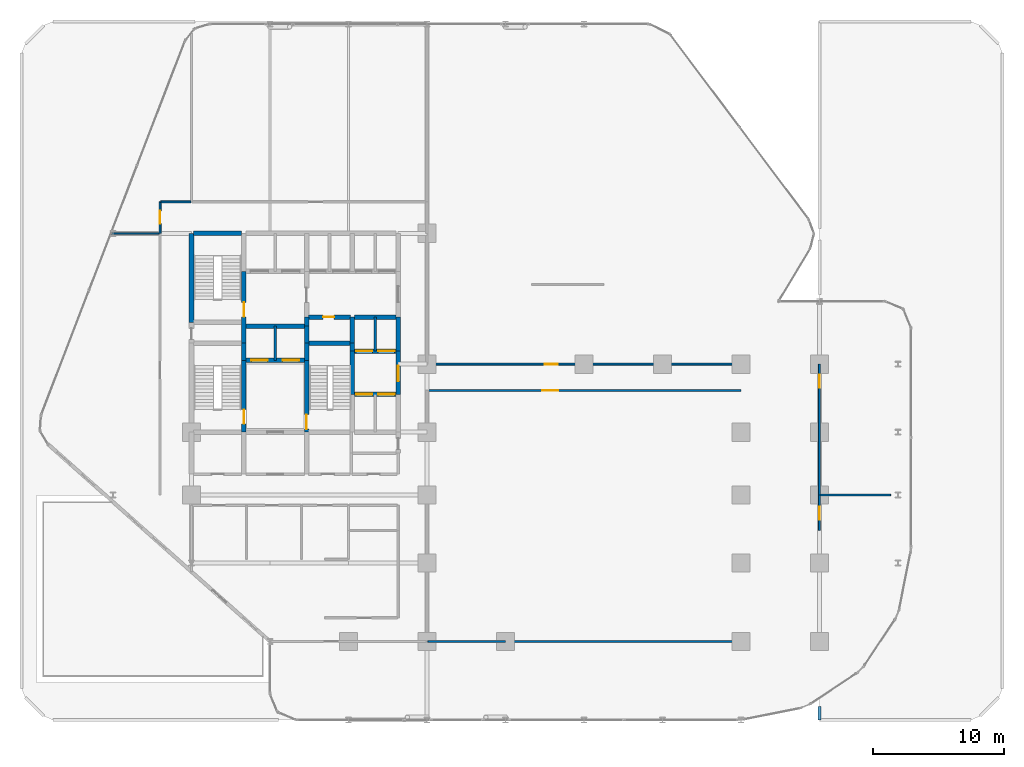
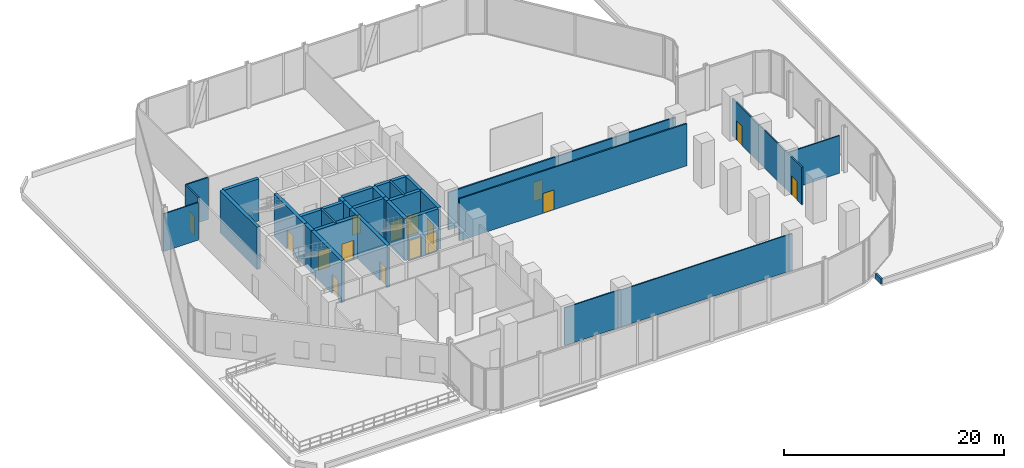
# One storey, part 25 of 29: 33 walls, 16 doors, 16 openings.
"""IFC4 building model written with IfcOpenShell, lengths in metres."""

import ifcopenshell
import ifcopenshell.guid

model = None  # the IFC model being written
_history = None  # IfcOwnerHistory: only IFC2X3 demands one
_inside = {}  # id of a spatial element -> (the spatial element, [elements in it])
_under = {}  # id of a project, library or spatial element -> (it, [spatial elements below it])
_declared = {}  # id of a project -> (the project, [libraries it declares])
_typed = {}  # id of a type object -> (the type object, [elements of that type])
_made_of = {}  # id of a material, layer set ... -> (it, [elements and type objects made of it])


def new_model(schema):
    """Start an empty IFC model of exactly this schema.

    Asked for "IFC4X3", IfcOpenShell would pick the latest addendum, in which some entities
    have other attributes; the version numbers below select the first issue.
    IFC2X3 requires an IfcOwnerHistory on every rooted entity: one is made here for all.
    """
    global model, _history
    if schema == "IFC4X3":
        model = ifcopenshell.file(schema_version=(4, 3, 0, 0))
    else:
        model = ifcopenshell.file(schema=schema)
    _inside.clear()
    _under.clear()
    _declared.clear()
    _typed.clear()
    _made_of.clear()
    _history = None
    if model.schema == "IFC2X3":
        org = make("IfcOrganization", Name="unknown")
        user = make(
            "IfcPersonAndOrganization",
            ThePerson=make("IfcPerson", FamilyName="unknown"),
            TheOrganization=org,
        )
        app = make(
            "IfcApplication",
            ApplicationDeveloper=org,
            Version="unknown",
            ApplicationFullName="unknown",
            ApplicationIdentifier="unknown",
        )
        _history = make(
            "IfcOwnerHistory",
            OwningUser=user,
            OwningApplication=app,
            ChangeAction="ADDED",
            CreationDate=0,
        )
    return model


def make(cls, **values):
    """One entity of the class cls with the attributes given. An attribute that is None is left unset."""
    return model.create_entity(
        cls, **{name: value for name, value in values.items() if value is not None}
    )


def rooted(cls, **values):
    """An entity with a GlobalId (a new one), such as an element, a storey or a relation."""
    return make(cls, GlobalId=ifcopenshell.guid.new(), OwnerHistory=_history, **values)


def si_unit(unit_type, name, prefix=None):
    """IfcSIUnit, for example si_unit("LENGTHUNIT", "METRE", prefix="MILLI")."""
    return make("IfcSIUnit", UnitType=unit_type, Prefix=prefix, Name=name)


def assignment(units):
    """IfcUnitAssignment: the units of a project."""
    return None if units is None else make("IfcUnitAssignment", Units=units)


def point(xyz):
    """IfcCartesianPoint."""
    return None if xyz is None else make("IfcCartesianPoint", Coordinates=xyz)


def direction(xyz):
    """IfcDirection."""
    return None if xyz is None else make("IfcDirection", DirectionRatios=xyz)


def frame(location, z_axis=None, x_axis=None):
    """IfcAxis2Placement3D, a coordinate frame: its origin and axes. An axis left out is left unset."""
    return make(
        "IfcAxis2Placement3D",
        Location=point(location),
        Axis=direction(z_axis),
        RefDirection=direction(x_axis),
    )


def frame_2d(location, x_axis=None):
    """IfcAxis2Placement2D, a coordinate frame in the plane: its origin and x axis."""
    return make(
        "IfcAxis2Placement2D", Location=point(location), RefDirection=direction(x_axis)
    )


def origin():
    """The frame at (0, 0, 0) with its axes left unset."""
    return frame((0.0, 0.0, 0.0))


def place(relative_to, where):
    """IfcLocalPlacement: puts the frame where relative to a parent placement (None: the world)."""
    return make(
        "IfcLocalPlacement", PlacementRelTo=relative_to, RelativePlacement=where
    )


def context(
    kind, dimensions, precision=None, world=None, true_north=None, identifier=None
):
    """IfcGeometricRepresentationContext, for example the 3D "Model" context."""
    return make(
        "IfcGeometricRepresentationContext",
        ContextIdentifier=identifier,
        ContextType=kind,
        CoordinateSpaceDimension=dimensions,
        Precision=precision,
        WorldCoordinateSystem=world,
        TrueNorth=true_north,
    )


def subcontext(parent, identifier, kind, view, scale=None):
    """IfcGeometricRepresentationSubContext, for example "Body" below "Model"."""
    return make(
        "IfcGeometricRepresentationSubContext",
        ContextIdentifier=identifier,
        ContextType=kind,
        ParentContext=parent,
        TargetScale=scale,
        TargetView=view,
    )


def project(units=None, contexts=None):
    """IfcProject with its units and contexts."""
    return rooted(
        "IfcProject",
        Name="project",
        RepresentationContexts=contexts,
        UnitsInContext=assignment(units),
    )


def spatial(cls, under=None, at=None, **own):
    """A site, building, storey or space (cls), placed at a placement, below another one or the project."""
    s = rooted(cls, ObjectPlacement=at, **own)
    if under is not None:
        _under.setdefault(under.id(), (under, []))[1].append(s)
    return s


def profile(cls, at=None, kind="AREA", **sizes):
    """A parametric profile (cls). Its sizes go by their IFC names, for example OverallWidth=200.0."""
    return make(cls, ProfileType=kind, Position=at, **sizes)


def rectangle(**sizes):
    """IfcRectangleProfileDef."""
    return profile("IfcRectangleProfileDef", **sizes)


def extrude(swept, where, along, depth):
    """IfcExtrudedAreaSolid: the profile swept, set in the frame where, extruded along a direction by depth."""
    return make(
        "IfcExtrudedAreaSolid",
        SweptArea=swept,
        Position=where,
        ExtrudedDirection=direction(along),
        Depth=depth,
    )


def shape(context_of_items, identifier, shape_type, items):
    """IfcShapeRepresentation: the items that make up one representation, for example the "Body"."""
    return make(
        "IfcShapeRepresentation",
        ContextOfItems=context_of_items,
        RepresentationIdentifier=identifier,
        RepresentationType=shape_type,
        Items=items,
    )


def material(Name=None, Category=None):
    """IfcMaterial."""
    return make("IfcMaterial", Name=Name, Category=Category)


def layer(
    of_material, thickness, ventilated=None, Name=None, Category=None, Priority=None
):
    """IfcMaterialLayer: one layer of a wall or slab, of a material (None: an air gap)."""
    return make(
        "IfcMaterialLayer",
        Material=of_material,
        LayerThickness=thickness,
        IsVentilated=ventilated,
        Name=Name,
        Category=Category,
        Priority=Priority,
    )


def layer_set(layers, Name=None):
    """IfcMaterialLayerSet."""
    return make("IfcMaterialLayerSet", MaterialLayers=layers, LayerSetName=Name)


def made_of(thing, what):
    """Note that an element or type object is made of a material, layer set ...; save() writes the relation."""
    if what is not None:
        _made_of.setdefault(what.id(), (what, []))[1].append(thing)
    return thing


def type_object(cls, material=None, **own):
    """A type object (cls), such as IfcWallType, which elements share."""
    return made_of(rooted(cls, **own), material)


def element(
    cls,
    number,
    at=None,
    inside=None,
    cuts=None,
    type_object=None,
    material=None,
    context=None,
    identifier="Body",
    shape_type=None,
    held_by="IfcProductDefinitionShape",
    body=None,
    shapes=None,
    **own,
):
    """One element of the class cls, such as IfcWall. Its Tag is "e" and its number.

    at: its placement. inside: the storey or other place that contains it. cuts: it is an
    opening in that element (IfcRelVoidsElement). A single representation is given by context,
    identifier, shape_type and body (its items); several are given by shapes. held_by: the class
    of the entity that holds the representations. save() writes the other relations.
    """
    e = rooted(cls, Tag="e%d" % number, ObjectPlacement=at, **own)
    if body is not None:
        shapes = [shape(context, identifier, shape_type, body)]
    if shapes is not None:
        e.Representation = make(held_by, Representations=shapes)
    if inside is not None:
        _inside.setdefault(inside.id(), (inside, []))[1].append(e)
    if cuts is not None:
        rooted(
            "IfcRelVoidsElement", RelatingBuildingElement=cuts, RelatedOpeningElement=e
        )
    if type_object is not None:
        _typed.setdefault(type_object.id(), (type_object, []))[1].append(e)
    return made_of(e, material)


def fill(opening, filler):
    """IfcRelFillsElement: the door or window that sits in an opening."""
    return rooted(
        "IfcRelFillsElement",
        RelatingOpeningElement=opening,
        RelatedBuildingElement=filler,
    )


def aggregate(whole, parts):
    """IfcRelAggregates: a whole, such as a stair, and the parts it consists of."""
    return rooted("IfcRelAggregates", RelatingObject=whole, RelatedObjects=parts)


def save(model, path):
    """Write the relations noted so far, then the file.

    IfcRelAggregates (storeys below a building ...), IfcRelContainedInSpatialStructure (elements
    in a storey), IfcRelDefinesByType, IfcRelAssociatesMaterial and IfcRelDeclares: one each for
    every whole, place, type object, material and project.
    """
    for whole, parts in _under.values():
        aggregate(whole, parts)
    for where, things in _inside.values():
        rooted(
            "IfcRelContainedInSpatialStructure",
            RelatedElements=things,
            RelatingStructure=where,
        )
    for kind, things in _typed.values():
        rooted("IfcRelDefinesByType", RelatedObjects=things, RelatingType=kind)
    for what, things in _made_of.values():
        rooted("IfcRelAssociatesMaterial", RelatedObjects=things, RelatingMaterial=what)
    for by, libraries in _declared.values():
        rooted("IfcRelDeclares", RelatingContext=by, RelatedDefinitions=libraries)
    model.write(path)


model = new_model("IFC4")

# Units and contexts
model_context = context("Model", 3, precision=1e-05, world=origin(), true_north=direction((0.0, 1.0)))
body_context = subcontext(model_context, "Body", "Model", "MODEL_VIEW")
ifc_project = project(units=[si_unit("LENGTHUNIT", "METRE"), si_unit("AREAUNIT", "SQUARE_METRE"), si_unit("VOLUMEUNIT", "CUBIC_METRE"), si_unit("PLANEANGLEUNIT", "RADIAN"), si_unit("MASSUNIT", "GRAM", prefix="KILO")], contexts=[model_context])

# Site, building, storey
site_placement = place(None, origin())
site = spatial("IfcSite", under=ifc_project, at=site_placement, CompositionType="ELEMENT")
building_placement = place(site_placement, origin())
building = spatial("IfcBuilding", under=site, at=building_placement, Name="Keshet Zoharim Tower", CompositionType="ELEMENT")
storey_placement = place(building_placement, frame((0.0, 0.0, 19.0)))
storey = spatial("IfcBuildingStorey", under=building, at=storey_placement, Name="L03", CompositionType="ELEMENT", Elevation=19.0)

# Wall, opening, door
ifc_material_1 = material(Name="Gypsum Plasterboard", Category="gypsum")
ifc_layer_1 = layer(ifc_material_1, 0.14990234375)
ifc_layer_set_1 = layer_set([ifc_layer_1], Name="Gypsum Plasterboard")
wall_type_1 = type_object("IfcWallType", Name="WL-CLIN-150", PredefinedType="STANDARD", material=ifc_layer_set_1)
wall_1_placement = place(storey_placement, frame((12.60009765625, 37.89990234375, 0.0), z_axis=(0.0, 0.0, 1.0), x_axis=(0.0, 1.0, 0.0)))
wall_1 = element("IfcWall", 1, at=wall_1_placement, inside=storey, type_object=wall_type_1, Name="L03 Interior Wall 002", PredefinedType="STANDARD", context=body_context, shape_type="SweptSolid", body=[
    extrude(rectangle(XDim=2.400146484375, YDim=0.14990234375, at=frame_2d((1.2001953125, 0.0))), origin(), (0.0, 0.0, 1.0), 4.68505859375),
])
opening_1_placement = place(wall_1_placement, frame((0.72509765625, 0.0, 0.0)))
opening_1 = element("IfcOpeningElement", 2, at=opening_1_placement, cuts=wall_1, Name="Opening D-F310", PredefinedType="OPENING", context=body_context, shape_type="SweptSolid", body=[
    extrude(rectangle(XDim=1.0, YDim=2.14990234375, at=frame_2d((0.5, 1.074951171875))), frame((0.0, 0.0849609375, 0.0), z_axis=(0.0, -1.0, 0.0), x_axis=(1.0, 0.0, 0.0)), (0.0, 0.0, 1.0), 0.169921875),
])
ifc_material_2 = material(Name="Hardwood Timber", Category="wood")
door_type_1 = type_object("IfcDoorType", Name="DR-FD30-100", OperationType="NOTDEFINED", PredefinedType="DOOR", material=ifc_material_2)
door_1_placement = place(opening_1_placement, origin())
door_1 = element("IfcDoor", 3, at=door_1_placement, inside=storey, type_object=door_type_1, Name="L03 North-West Reading Lounge Door", OperationType="SINGLE_SWING_LEFT", OverallHeight=2.14990234375, OverallWidth=1.0, PredefinedType="DOOR", context=body_context, shape_type="SweptSolid", body=[
    extrude(rectangle(XDim=1.0, YDim=2.14990234375, at=frame_2d((0.5, 1.074951171875))), frame((0.0, 0.02490234375, 0.0), z_axis=(0.0, -1.0, 0.0), x_axis=(1.0, 0.0, 0.0)), (0.0, 0.0, 1.0), 0.050048828125),
])
fill(opening_1, door_1)

# Wall, openings, doors
wall_2_placement = place(storey_placement, frame((63.0, 15.199951171875, 0.0), z_axis=(0.0, 0.0, 1.0), x_axis=(0.0, 1.0, 0.0)))
wall_2 = element("IfcWall", 4, at=wall_2_placement, inside=storey, type_object=wall_type_1, Name="L03 Interior Wall 050", PredefinedType="STANDARD", context=body_context, shape_type="SweptSolid", body=[
    extrude(rectangle(XDim=12.699951171875, YDim=0.14990234375, at=frame_2d((6.35009765625, 0.0))), origin(), (0.0, 0.0, 1.0), 4.18505859375),
])
opening_2_placement = place(wall_2_placement, frame((0.802978515625, 0.0, 0.0)))
opening_2 = element("IfcOpeningElement", 5, at=opening_2_placement, cuts=wall_2, Name="Opening D-F310", PredefinedType="OPENING", context=body_context, shape_type="SweptSolid", body=[
    extrude(rectangle(XDim=1.0, YDim=2.14990234375, at=frame_2d((0.5, 1.074951171875))), frame((0.0, 0.0849609375, 0.0), z_axis=(0.0, -1.0, 0.0), x_axis=(1.0, 0.0, 0.0)), (0.0, 0.0, 1.0), 0.169921875),
])
opening_3_placement = place(wall_2_placement, frame((10.882080078125, 0.0, 0.0)))
opening_3 = element("IfcOpeningElement", 6, at=opening_3_placement, cuts=wall_2, Name="Opening D-F310", PredefinedType="OPENING", context=body_context, shape_type="SweptSolid", body=[
    extrude(rectangle(XDim=1.0, YDim=2.14990234375, at=frame_2d((0.5, 1.074951171875))), frame((0.0, 0.0849609375, 0.0), z_axis=(0.0, -1.0, 0.0), x_axis=(1.0, 0.0, 0.0)), (0.0, 0.0, 1.0), 0.169921875),
])
door_2_placement = place(opening_2_placement, origin())
door_2 = element("IfcDoor", 7, at=door_2_placement, inside=storey, type_object=door_type_1, Name="L03 East Pavilion Lounge Door", OperationType="SINGLE_SWING_RIGHT", OverallHeight=2.14990234375, OverallWidth=1.0, PredefinedType="DOOR", context=body_context, shape_type="SweptSolid", body=[
    extrude(rectangle(XDim=1.0, YDim=2.14990234375, at=frame_2d((0.5, 1.074951171875))), frame((0.0, 0.02490234375, 0.0), z_axis=(0.0, -1.0, 0.0), x_axis=(1.0, 0.0, 0.0)), (0.0, 0.0, 1.0), 0.050048828125),
])
fill(opening_2, door_2)
door_3_placement = place(opening_3_placement, origin())
door_3 = element("IfcDoor", 8, at=door_3_placement, inside=storey, type_object=door_type_1, Name="L03 East Community Workshop Door", OperationType="SINGLE_SWING_LEFT", OverallHeight=2.14990234375, OverallWidth=1.0, PredefinedType="DOOR", context=body_context, shape_type="SweptSolid", body=[
    extrude(rectangle(XDim=1.0, YDim=2.14990234375, at=frame_2d((0.5, 1.074951171875))), frame((0.0, 0.02490234375, 0.0), z_axis=(0.0, -1.0, 0.0), x_axis=(1.0, 0.0, 0.0)), (0.0, 0.0, 1.0), 0.050048828125),
])
fill(opening_3, door_3)

# Wall, opening, door
wall_3_placement = place(storey_placement, frame((33.06005859375, 25.89990234375, 0.0), z_axis=(0.0, 0.0, 1.0), x_axis=(1.0, 0.0, 0.0)))
wall_3 = element("IfcWall", 9, at=wall_3_placement, inside=storey, type_object=wall_type_1, Name="L03 Interior Wall 070", PredefinedType="STANDARD", context=body_context, shape_type="SweptSolid", body=[
    extrude(rectangle(XDim=23.93994140625, YDim=0.14990234375, at=frame_2d((11.969970703125, 0.0))), origin(), (0.0, 0.0, 1.0), 4.68505859375),
])
opening_4_placement = place(wall_3_placement, frame((8.77001953125, 0.0, 0.0)))
opening_4 = element("IfcOpeningElement", 10, at=opening_4_placement, cuts=wall_3, Name="Opening D-F612", PredefinedType="OPENING", context=body_context, shape_type="SweptSolid", body=[
    extrude(rectangle(XDim=1.199951171875, YDim=2.199951171875, at=frame_2d((0.60009765625, 1.10009765625))), frame((0.0, 0.0849609375, 0.0), z_axis=(0.0, -1.0, 0.0), x_axis=(1.0, 0.0, 0.0)), (0.0, 0.0, 1.0), 0.169921875),
])
door_type_2 = type_object("IfcDoorType", Name="DR-FD60-120", OperationType="NOTDEFINED", PredefinedType="DOOR", material=ifc_material_2)
door_4_placement = place(opening_4_placement, origin())
door_4 = element("IfcDoor", 11, at=door_4_placement, inside=storey, type_object=door_type_2, Name="L03 Residents Fitness Studio Door", OperationType="SINGLE_SWING_RIGHT", OverallHeight=2.199951171875, OverallWidth=1.199951171875, PredefinedType="DOOR", context=body_context, shape_type="SweptSolid", body=[
    extrude(rectangle(XDim=1.199951171875, YDim=2.199951171875, at=frame_2d((0.60009765625, 1.10009765625))), frame((0.0, 0.02490234375, 0.0), z_axis=(0.0, -1.0, 0.0), x_axis=(1.0, 0.0, 0.0)), (0.0, 0.0, 1.0), 0.050048828125),
])
fill(opening_4, door_4)

wall_4_placement = place(storey_placement, frame((33.06005859375, 27.89990234375, 0.0), z_axis=(0.0, 0.0, 1.0), x_axis=(1.0, 0.0, 0.0)))
wall_4 = element("IfcWall", 12, at=wall_4_placement, inside=storey, type_object=wall_type_1, Name="L03 Interior Wall 071", PredefinedType="STANDARD", context=body_context, shape_type="SweptSolid", body=[
    extrude(rectangle(XDim=23.93994140625, YDim=0.14990234375, at=frame_2d((11.969970703125, 0.0))), origin(), (0.0, 0.0, 1.0), 4.18505859375),
])
opening_5_placement = place(wall_4_placement, frame((8.93994140625, 0.0, 0.0)))
opening_5 = element("IfcOpeningElement", 13, at=opening_5_placement, cuts=wall_4, Name="Opening D-F310", PredefinedType="OPENING", context=body_context, shape_type="SweptSolid", body=[
    extrude(rectangle(XDim=1.0, YDim=2.14990234375, at=frame_2d((0.5, 1.074951171875))), frame((0.0, 0.0849609375, 0.0), z_axis=(0.0, -1.0, 0.0), x_axis=(1.0, 0.0, 0.0)), (0.0, 0.0, 1.0), 0.169921875),
])
door_5_placement = place(opening_5_placement, origin())
door_5 = element("IfcDoor", 14, at=door_5_placement, inside=storey, type_object=door_type_1, Name="L03 Residents Study Room Door", OperationType="SINGLE_SWING_LEFT", OverallHeight=2.14990234375, OverallWidth=1.0, PredefinedType="DOOR", context=body_context, shape_type="SweptSolid", body=[
    extrude(rectangle(XDim=1.0, YDim=2.14990234375, at=frame_2d((0.5, 1.074951171875))), frame((0.0, 0.02490234375, 0.0), z_axis=(0.0, -1.0, 0.0), x_axis=(1.0, 0.0, 0.0)), (0.0, 0.0, 1.0), 0.050048828125),
])
fill(opening_5, door_5)

# Walls
wall_5_placement = place(storey_placement, frame((12.659912109375, 40.300048828125, 0.0), z_axis=(0.0, 0.0, 1.0), x_axis=(1.0, 0.0, 0.0)))
element("IfcWall", 15, at=wall_5_placement, inside=storey, type_object=wall_type_1, Name="L03 Interior Wall 084", PredefinedType="STANDARD", context=body_context, shape_type="SweptSolid", body=[
    extrude(rectangle(XDim=2.295166015625, YDim=0.14990234375, at=frame_2d((1.1474609375, 0.0))), origin(), (0.0, 0.0, 1.0), 4.68505859375),
])
ifc_material_3 = material(Name="Concrete C60/75", Category="concrete")
ifc_layer_2 = layer(ifc_material_3, 0.35009765625)
ifc_layer_set_2 = layer_set([ifc_layer_2], Name="Concrete C60/75")
wall_type_2 = type_object("IfcWallType", Name="WL-CORE-350", PredefinedType="SHEAR", material=ifc_layer_set_2)
wall_6_placement = place(storey_placement, frame((15.0, 31.10009765625, 0.0), z_axis=(0.0, 0.0, 1.0), x_axis=(0.0, 1.0, 0.0)))
element("IfcWall", 16, at=wall_6_placement, inside=storey, type_object=wall_type_2, Name="L03 Core Shear Wall 007", PredefinedType="SHEAR", context=body_context, shape_type="SweptSolid", body=[
    extrude(rectangle(XDim=6.7998046875, YDim=0.35009765625, at=frame_2d((3.39990234375, 0.0))), origin(), (0.0, 0.0, 1.0), 4.68505859375),
])

# Wall, opening, door
wall_7_placement = place(storey_placement, frame((19.0, 22.699951171875, 0.0), z_axis=(0.0, 0.0, 1.0), x_axis=(0.0, 1.0, 0.0)))
wall_7 = element("IfcWall", 17, at=wall_7_placement, inside=storey, type_object=wall_type_2, Name="L03 Core Shear Wall 010", PredefinedType="SHEAR", context=body_context, shape_type="SweptSolid", body=[
    extrude(rectangle(XDim=5.5, YDim=0.35009765625, at=frame_2d((2.75, 0.0))), origin(), (0.0, 0.0, 1.0), 4.68505859375),
])
opening_6_placement = place(wall_7_placement, frame((0.631103515625, 0.0, 0.0)))
opening_6 = element("IfcOpeningElement", 18, at=opening_6_placement, cuts=wall_7, Name="Opening D-F611", PredefinedType="OPENING", context=body_context, shape_type="SweptSolid", body=[
    extrude(rectangle(XDim=1.10009765625, YDim=2.14990234375, at=frame_2d((0.550048828125, 1.074951171875))), frame((0.0, 0.18505859375, 0.0), z_axis=(0.0, -1.0, 0.0), x_axis=(1.0, 0.0, 0.0)), (0.0, 0.0, 1.0), 0.3701171875),
])
door_type_3 = type_object("IfcDoorType", Name="DR-FD60-110", OperationType="NOTDEFINED", PredefinedType="DOOR", material=ifc_material_2)
door_6_placement = place(opening_6_placement, origin())
door_6 = element("IfcDoor", 19, at=door_6_placement, inside=storey, type_object=door_type_3, Name="L03 Exit Stair ST-01 Fire Door", OperationType="SINGLE_SWING_LEFT", OverallHeight=2.14990234375, OverallWidth=1.10009765625, PredefinedType="DOOR", context=body_context, shape_type="SweptSolid", body=[
    extrude(rectangle(XDim=1.10009765625, YDim=2.14990234375, at=frame_2d((0.550048828125, 1.074951171875))), frame((0.0, 0.02490234375, 0.0), z_axis=(0.0, -1.0, 0.0), x_axis=(1.0, 0.0, 0.0)), (0.0, 0.0, 1.0), 0.050048828125),
])
fill(opening_6, door_6)

# Wall
wall_8_placement = place(storey_placement, frame((19.0, 28.199951171875, 0.0), z_axis=(0.0, 0.0, 1.0), x_axis=(0.0, 1.0, 0.0)))
element("IfcWall", 20, at=wall_8_placement, inside=storey, type_object=wall_type_2, Name="L03 Core Shear Wall 011", PredefinedType="SHEAR", context=body_context, shape_type="SweptSolid", body=[
    extrude(rectangle(XDim=1.300048828125, YDim=0.35009765625, at=frame_2d((0.64990234375, 0.0))), origin(), (0.0, 0.0, 1.0), 4.68505859375),
])

# Wall, opening, door
wall_9_placement = place(storey_placement, frame((19.0, 29.5, 0.0), z_axis=(0.0, 0.0, 1.0), x_axis=(0.0, 1.0, 0.0)))
wall_9 = element("IfcWall", 21, at=wall_9_placement, inside=storey, type_object=wall_type_2, Name="L03 Core Shear Wall 012", PredefinedType="SHEAR", context=body_context, shape_type="SweptSolid", body=[
    extrude(rectangle(XDim=5.5, YDim=0.35009765625, at=frame_2d((2.75, 0.0))), origin(), (0.0, 0.0, 1.0), 4.68505859375),
])
opening_7_placement = place(wall_9_placement, frame((2.02490234375, 0.0, 0.0)))
opening_7 = element("IfcOpeningElement", 22, at=opening_7_placement, cuts=wall_9, Name="Opening D-F611", PredefinedType="OPENING", context=body_context, shape_type="SweptSolid", body=[
    extrude(rectangle(XDim=1.10009765625, YDim=2.14990234375, at=frame_2d((0.550048828125, 1.074951171875))), frame((0.0, 0.18505859375, 0.0), z_axis=(0.0, -1.0, 0.0), x_axis=(1.0, 0.0, 0.0)), (0.0, 0.0, 1.0), 0.3701171875),
])
door_7_placement = place(opening_7_placement, origin())
door_7 = element("IfcDoor", 23, at=door_7_placement, inside=storey, type_object=door_type_3, Name="L03 Exit Stair ST-02 Fire Door", OperationType="SINGLE_SWING_RIGHT", OverallHeight=2.14990234375, OverallWidth=1.10009765625, PredefinedType="DOOR", context=body_context, shape_type="SweptSolid", body=[
    extrude(rectangle(XDim=1.10009765625, YDim=2.14990234375, at=frame_2d((0.550048828125, 1.074951171875))), frame((0.0, 0.02490234375, 0.0), z_axis=(0.0, -1.0, 0.0), x_axis=(1.0, 0.0, 0.0)), (0.0, 0.0, 1.0), 0.050048828125),
])
fill(opening_7, door_7)

wall_10_placement = place(storey_placement, frame((23.800048828125, 22.699951171875, 0.0), z_axis=(0.0, 0.0, 1.0), x_axis=(0.0, 1.0, 0.0)))
wall_10 = element("IfcWall", 24, at=wall_10_placement, inside=storey, type_object=wall_type_2, Name="L03 Core Shear Wall 019", PredefinedType="SHEAR", context=body_context, shape_type="SweptSolid", body=[
    extrude(rectangle(XDim=5.5, YDim=0.35009765625, at=frame_2d((2.75, 0.0))), origin(), (0.0, 0.0, 1.0), 4.68505859375),
])
opening_8_placement = place(wall_10_placement, frame((0.235107421875, 0.0, 0.0)))
opening_8 = element("IfcOpeningElement", 25, at=opening_8_placement, cuts=wall_10, Name="Opening D-F611", PredefinedType="OPENING", context=body_context, shape_type="SweptSolid", body=[
    extrude(rectangle(XDim=1.10009765625, YDim=2.14990234375, at=frame_2d((0.550048828125, 1.074951171875))), frame((0.0, 0.18505859375, 0.0), z_axis=(0.0, -1.0, 0.0), x_axis=(1.0, 0.0, 0.0)), (0.0, 0.0, 1.0), 0.3701171875),
])
door_8_placement = place(opening_8_placement, frame((1.10009765625, 0.0, 0.0), z_axis=(0.0, 0.0, 1.0), x_axis=(-1.0, 0.0, 0.0)))
door_8 = element("IfcDoor", 26, at=door_8_placement, inside=storey, type_object=door_type_3, Name="L03 Exit Stair ST-03 Fire Door", OperationType="SINGLE_SWING_LEFT", OverallHeight=2.14990234375, OverallWidth=1.10009765625, PredefinedType="DOOR", context=body_context, shape_type="SweptSolid", body=[
    extrude(rectangle(XDim=1.10009765625, YDim=2.14990234375, at=frame_2d((0.550048828125, 1.074951171875))), frame((0.0, 0.02490234375, 0.0), z_axis=(0.0, -1.0, 0.0), x_axis=(1.0, 0.0, 0.0)), (0.0, 0.0, 1.0), 0.050048828125),
])
fill(opening_8, door_8)

# Walls
for number, where, z_axis, x_axis, name in (
    (27, (23.800048828125, 28.199951171875, 0.0), (0.0, 0.0, 1.0), (0.0, 1.0, 0.0), "L03 Core Shear Wall 020"),
    (28, (23.800048828125, 29.5, 0.0), (0.0, 0.0, 1.0), (0.0, 1.0, 0.0), "L03 Core Shear Wall 021"),
):
    element("IfcWall", number, at=place(storey_placement, frame(where, z_axis=z_axis, x_axis=x_axis)), inside=storey, type_object=wall_type_2, Name=name, PredefinedType="SHEAR", context=body_context, shape_type="SweptSolid", body=[
        extrude(rectangle(XDim=1.300048828125, YDim=0.35009765625, at=frame_2d((0.64990234375, 0.0))), origin(), (0.0, 0.0, 1.0), 4.68505859375),
    ])
wall_11_placement = place(storey_placement, frame((23.800048828125, 30.800048828125, 0.0), z_axis=(0.0, 0.0, 1.0), x_axis=(0.0, 1.0, 0.0)))
element("IfcWall", 29, at=wall_11_placement, inside=storey, type_object=wall_type_2, Name="L03 Core Shear Wall 022", PredefinedType="SHEAR", context=body_context, shape_type="SweptSolid", body=[
    extrude(rectangle(XDim=0.699951171875, YDim=0.35009765625, at=frame_2d((0.35009765625, 0.0))), origin(), (0.0, 0.0, 1.0), 4.68505859375),
])
wall_12_placement = place(storey_placement, frame((27.300048828125, 25.60009765625, 0.0), z_axis=(0.0, 0.0, 1.0), x_axis=(0.0, 1.0, 0.0)))
element("IfcWall", 30, at=wall_12_placement, inside=storey, type_object=wall_type_2, Name="L03 Core Shear Wall 031", PredefinedType="SHEAR", context=body_context, shape_type="SweptSolid", body=[
    extrude(rectangle(XDim=3.2998046875, YDim=0.35009765625, at=frame_2d((1.64990234375, 0.0))), origin(), (0.0, 0.0, 1.0), 4.68505859375),
])
wall_13_placement = place(storey_placement, frame((27.300048828125, 28.89990234375, 0.0), z_axis=(0.0, 0.0, 1.0), x_axis=(0.0, 1.0, 0.0)))
element("IfcWall", 31, at=wall_13_placement, inside=storey, type_object=wall_type_2, Name="L03 Core Shear Wall 032", PredefinedType="SHEAR", context=body_context, shape_type="SweptSolid", body=[
    extrude(rectangle(XDim=0.60009765625, YDim=0.35009765625, at=frame_2d((0.300048828125, 0.0))), origin(), (0.0, 0.0, 1.0), 4.68505859375),
])
wall_14_placement = place(storey_placement, frame((27.300048828125, 29.5, 0.0), z_axis=(0.0, 0.0, 1.0), x_axis=(0.0, 1.0, 0.0)))
element("IfcWall", 32, at=wall_14_placement, inside=storey, type_object=wall_type_2, Name="L03 Core Shear Wall 033", PredefinedType="SHEAR", context=body_context, shape_type="SweptSolid", body=[
    extrude(rectangle(XDim=2.0, YDim=0.35009765625, at=frame_2d((1.0, 0.0))), origin(), (0.0, 0.0, 1.0), 4.68505859375),
])

# Wall, opening, door
wall_15_placement = place(storey_placement, frame((30.800048828125, 25.60009765625, 0.0), z_axis=(0.0, 0.0, 1.0), x_axis=(0.0, 1.0, 0.0)))
wall_15 = element("IfcWall", 33, at=wall_15_placement, inside=storey, type_object=wall_type_2, Name="L03 Core Shear Wall 043", PredefinedType="SHEAR", context=body_context, shape_type="SweptSolid", body=[
    extrude(rectangle(XDim=3.2998046875, YDim=0.35009765625, at=frame_2d((1.64990234375, 0.0))), origin(), (0.0, 0.0, 1.0), 4.68505859375),
])
opening_9_placement = place(wall_15_placement, frame((0.97802734375, 0.0, 0.0)))
opening_9 = element("IfcOpeningElement", 34, at=opening_9_placement, cuts=wall_15, Name="Opening D-F612", PredefinedType="OPENING", context=body_context, shape_type="SweptSolid", body=[
    extrude(rectangle(XDim=1.199951171875, YDim=2.199951171875, at=frame_2d((0.60009765625, 1.10009765625))), frame((0.0, 0.18505859375, 0.0), z_axis=(0.0, -1.0, 0.0), x_axis=(1.0, 0.0, 0.0)), (0.0, 0.0, 1.0), 0.3701171875),
])
door_9_placement = place(opening_9_placement, origin())
door_9 = element("IfcDoor", 35, at=door_9_placement, inside=storey, type_object=door_type_2, Name="L03 East Lift Lobby Fire Door", OperationType="SINGLE_SWING_RIGHT", OverallHeight=2.199951171875, OverallWidth=1.199951171875, PredefinedType="DOOR", context=body_context, shape_type="SweptSolid", body=[
    extrude(rectangle(XDim=1.199951171875, YDim=2.199951171875, at=frame_2d((0.60009765625, 1.10009765625))), frame((0.0, 0.02490234375, 0.0), z_axis=(0.0, -1.0, 0.0), x_axis=(1.0, 0.0, 0.0)), (0.0, 0.0, 1.0), 0.050048828125),
])
fill(opening_9, door_9)

# Wall
wall_16_placement = place(storey_placement, frame((30.800048828125, 28.89990234375, 0.0), z_axis=(0.0, 0.0, 1.0), x_axis=(0.0, 1.0, 0.0)))
element("IfcWall", 36, at=wall_16_placement, inside=storey, type_object=wall_type_2, Name="L03 Core Shear Wall 044", PredefinedType="SHEAR", context=body_context, shape_type="SweptSolid", body=[
    extrude(rectangle(XDim=2.60009765625, YDim=0.35009765625, at=frame_2d((1.300048828125, 0.0))), origin(), (0.0, 0.0, 1.0), 4.68505859375),
])

# Wall, openings, doors
wall_17_placement = place(storey_placement, frame((27.4599609375, 25.60009765625, 0.0), z_axis=(0.0, 0.0, 1.0), x_axis=(1.0, 0.0, 0.0)))
wall_17 = element("IfcWall", 37, at=wall_17_placement, inside=storey, type_object=wall_type_2, Name="L03 Core Shear Wall 069", PredefinedType="SHEAR", context=body_context, shape_type="SweptSolid", body=[
    extrude(rectangle(XDim=3.179931640625, YDim=0.35009765625, at=frame_2d((1.58984375, 0.0))), origin(), (0.0, 0.0, 1.0), 4.68505859375),
])
opening_10_placement = place(wall_17_placement, frame((0.1201171875, 0.0, 0.0)))
opening_10 = element("IfcOpeningElement", 38, at=opening_10_placement, cuts=wall_17, Name="Opening LD-01", PredefinedType="OPENING", context=body_context, shape_type="SweptSolid", body=[
    extrude(rectangle(XDim=1.25, YDim=2.199951171875, at=frame_2d((0.625, 1.10009765625))), frame((0.0, 0.18505859375, 0.0), z_axis=(0.0, -1.0, 0.0), x_axis=(1.0, 0.0, 0.0)), (0.0, 0.0, 1.0), 0.3701171875),
])
opening_11_placement = place(wall_17_placement, frame((1.81005859375, 0.0, 0.0)))
opening_11 = element("IfcOpeningElement", 39, at=opening_11_placement, cuts=wall_17, Name="Opening LD-01", PredefinedType="OPENING", context=body_context, shape_type="SweptSolid", body=[
    extrude(rectangle(XDim=1.25, YDim=2.199951171875, at=frame_2d((0.625, 1.10009765625))), frame((0.0, 0.18505859375, 0.0), z_axis=(0.0, -1.0, 0.0), x_axis=(1.0, 0.0, 0.0)), (0.0, 0.0, 1.0), 0.3701171875),
])
ifc_material_4 = material(Name="Steel S355", Category="steel")
door_type_4 = type_object("IfcDoorType", Name="DR-LD01-125", OperationType="DOUBLE_DOOR_SLIDING", PredefinedType="DOOR", material=ifc_material_4)
door_10_placement = place(opening_10_placement, origin())
door_10 = element("IfcDoor", 40, at=door_10_placement, inside=storey, type_object=door_type_4, Name="L03 Passenger Lift Landing Door LF-07", OperationType="DOUBLE_DOOR_SLIDING", OverallHeight=2.199951171875, OverallWidth=1.25, PredefinedType="DOOR", context=body_context, shape_type="SweptSolid", body=[
    extrude(rectangle(XDim=1.25, YDim=2.199951171875, at=frame_2d((0.625, 1.10009765625))), frame((0.0, 0.02490234375, 0.0), z_axis=(0.0, -1.0, 0.0), x_axis=(1.0, 0.0, 0.0)), (0.0, 0.0, 1.0), 0.050048828125),
])
fill(opening_10, door_10)
door_11_placement = place(opening_11_placement, origin())
door_11 = element("IfcDoor", 41, at=door_11_placement, inside=storey, type_object=door_type_4, Name="L03 Passenger Lift Landing Door LF-08", OperationType="DOUBLE_DOOR_SLIDING", OverallHeight=2.199951171875, OverallWidth=1.25, PredefinedType="DOOR", context=body_context, shape_type="SweptSolid", body=[
    extrude(rectangle(XDim=1.25, YDim=2.199951171875, at=frame_2d((0.625, 1.10009765625))), frame((0.0, 0.02490234375, 0.0), z_axis=(0.0, -1.0, 0.0), x_axis=(1.0, 0.0, 0.0)), (0.0, 0.0, 1.0), 0.050048828125),
])
fill(opening_11, door_11)

wall_18_placement = place(storey_placement, frame((19.159912109375, 28.199951171875, 0.0), z_axis=(0.0, 0.0, 1.0), x_axis=(1.0, 0.0, 0.0)))
wall_18 = element("IfcWall", 42, at=wall_18_placement, inside=storey, type_object=wall_type_2, Name="L03 Core Shear Wall 072", PredefinedType="SHEAR", context=body_context, shape_type="SweptSolid", body=[
    extrude(rectangle(XDim=4.47998046875, YDim=0.35009765625, at=frame_2d((2.239990234375, 0.0))), origin(), (0.0, 0.0, 1.0), 4.68505859375),
])
opening_12_placement = place(wall_18_placement, frame((0.4150390625, 0.0, 0.0)))
opening_12 = element("IfcOpeningElement", 43, at=opening_12_placement, cuts=wall_18, Name="Opening LD-01", PredefinedType="OPENING", context=body_context, shape_type="SweptSolid", body=[
    extrude(rectangle(XDim=1.25, YDim=2.199951171875, at=frame_2d((0.625, 1.10009765625))), frame((0.0, 0.18505859375, 0.0), z_axis=(0.0, -1.0, 0.0), x_axis=(1.0, 0.0, 0.0)), (0.0, 0.0, 1.0), 0.3701171875),
])
opening_13_placement = place(wall_18_placement, frame((2.81494140625, 0.0, 0.0)))
opening_13 = element("IfcOpeningElement", 44, at=opening_13_placement, cuts=wall_18, Name="Opening LD-01", PredefinedType="OPENING", context=body_context, shape_type="SweptSolid", body=[
    extrude(rectangle(XDim=1.25, YDim=2.199951171875, at=frame_2d((0.625, 1.10009765625))), frame((0.0, 0.18505859375, 0.0), z_axis=(0.0, -1.0, 0.0), x_axis=(1.0, 0.0, 0.0)), (0.0, 0.0, 1.0), 0.3701171875),
])
door_12_placement = place(opening_12_placement, origin())
door_12 = element("IfcDoor", 45, at=door_12_placement, inside=storey, type_object=door_type_4, Name="L03 Passenger Lift Landing Door LF-09", OperationType="DOUBLE_DOOR_SLIDING", OverallHeight=2.199951171875, OverallWidth=1.25, PredefinedType="DOOR", context=body_context, shape_type="SweptSolid", body=[
    extrude(rectangle(XDim=1.25, YDim=2.199951171875, at=frame_2d((0.625, 1.10009765625))), frame((0.0, 0.02490234375, 0.0), z_axis=(0.0, -1.0, 0.0), x_axis=(1.0, 0.0, 0.0)), (0.0, 0.0, 1.0), 0.050048828125),
])
fill(opening_12, door_12)
door_13_placement = place(opening_13_placement, origin())
door_13 = element("IfcDoor", 46, at=door_13_placement, inside=storey, type_object=door_type_4, Name="L03 Passenger Lift Landing Door LF-10", OperationType="DOUBLE_DOOR_SLIDING", OverallHeight=2.199951171875, OverallWidth=1.25, PredefinedType="DOOR", context=body_context, shape_type="SweptSolid", body=[
    extrude(rectangle(XDim=1.25, YDim=2.199951171875, at=frame_2d((0.625, 1.10009765625))), frame((0.0, 0.02490234375, 0.0), z_axis=(0.0, -1.0, 0.0), x_axis=(1.0, 0.0, 0.0)), (0.0, 0.0, 1.0), 0.050048828125),
])
fill(opening_13, door_13)

wall_19_placement = place(storey_placement, frame((27.4599609375, 28.89990234375, 0.0), z_axis=(0.0, 0.0, 1.0), x_axis=(1.0, 0.0, 0.0)))
wall_19 = element("IfcWall", 47, at=wall_19_placement, inside=storey, type_object=wall_type_2, Name="L03 Core Shear Wall 073", PredefinedType="SHEAR", context=body_context, shape_type="SweptSolid", body=[
    extrude(rectangle(XDim=3.179931640625, YDim=0.35009765625, at=frame_2d((1.58984375, 0.0))), origin(), (0.0, 0.0, 1.0), 4.68505859375),
])
opening_14_placement = place(wall_19_placement, frame((0.1201171875, 0.0, 0.0)))
opening_14 = element("IfcOpeningElement", 48, at=opening_14_placement, cuts=wall_19, Name="Opening LD-01", PredefinedType="OPENING", context=body_context, shape_type="SweptSolid", body=[
    extrude(rectangle(XDim=1.25, YDim=2.199951171875, at=frame_2d((0.625, 1.10009765625))), frame((0.0, 0.18505859375, 0.0), z_axis=(0.0, -1.0, 0.0), x_axis=(1.0, 0.0, 0.0)), (0.0, 0.0, 1.0), 0.3701171875),
])
opening_15_placement = place(wall_19_placement, frame((1.81005859375, 0.0, 0.0)))
opening_15 = element("IfcOpeningElement", 49, at=opening_15_placement, cuts=wall_19, Name="Opening LD-01", PredefinedType="OPENING", context=body_context, shape_type="SweptSolid", body=[
    extrude(rectangle(XDim=1.25, YDim=2.199951171875, at=frame_2d((0.625, 1.10009765625))), frame((0.0, 0.18505859375, 0.0), z_axis=(0.0, -1.0, 0.0), x_axis=(1.0, 0.0, 0.0)), (0.0, 0.0, 1.0), 0.3701171875),
])
door_14_placement = place(opening_14_placement, origin())
door_14 = element("IfcDoor", 50, at=door_14_placement, inside=storey, type_object=door_type_4, Name="L03 Passenger Lift Landing Door LF-05", OperationType="DOUBLE_DOOR_SLIDING", OverallHeight=2.199951171875, OverallWidth=1.25, PredefinedType="DOOR", context=body_context, shape_type="SweptSolid", body=[
    extrude(rectangle(XDim=1.25, YDim=2.199951171875, at=frame_2d((0.625, 1.10009765625))), frame((0.0, 0.02490234375, 0.0), z_axis=(0.0, -1.0, 0.0), x_axis=(1.0, 0.0, 0.0)), (0.0, 0.0, 1.0), 0.050048828125),
])
fill(opening_14, door_14)
door_15_placement = place(opening_15_placement, origin())
door_15 = element("IfcDoor", 51, at=door_15_placement, inside=storey, type_object=door_type_4, Name="L03 Passenger Lift Landing Door LF-06", OperationType="DOUBLE_DOOR_SLIDING", OverallHeight=2.199951171875, OverallWidth=1.25, PredefinedType="DOOR", context=body_context, shape_type="SweptSolid", body=[
    extrude(rectangle(XDim=1.25, YDim=2.199951171875, at=frame_2d((0.625, 1.10009765625))), frame((0.0, 0.02490234375, 0.0), z_axis=(0.0, -1.0, 0.0), x_axis=(1.0, 0.0, 0.0)), (0.0, 0.0, 1.0), 0.050048828125),
])
fill(opening_15, door_15)

# Walls
wall_20_placement = place(storey_placement, frame((23.9599609375, 29.5, 0.0), z_axis=(0.0, 0.0, 1.0), x_axis=(1.0, 0.0, 0.0)))
element("IfcWall", 52, at=wall_20_placement, inside=storey, type_object=wall_type_2, Name="L03 Core Shear Wall 075", PredefinedType="SHEAR", context=body_context, shape_type="SweptSolid", body=[
    extrude(rectangle(XDim=3.179931640625, YDim=0.35009765625, at=frame_2d((1.58984375, 0.0))), origin(), (0.0, 0.0, 1.0), 4.68505859375),
])
wall_21_placement = place(storey_placement, frame((19.159912109375, 30.800048828125, 0.0), z_axis=(0.0, 0.0, 1.0), x_axis=(1.0, 0.0, 0.0)))
element("IfcWall", 53, at=wall_21_placement, inside=storey, type_object=wall_type_2, Name="L03 Core Shear Wall 076", PredefinedType="SHEAR", context=body_context, shape_type="SweptSolid", body=[
    extrude(rectangle(XDim=4.47998046875, YDim=0.35009765625, at=frame_2d((2.239990234375, 0.0))), origin(), (0.0, 0.0, 1.0), 4.68505859375),
])

# Wall, opening, door
wall_22_placement = place(storey_placement, frame((23.9599609375, 31.5, 0.0), z_axis=(0.0, 0.0, 1.0), x_axis=(1.0, 0.0, 0.0)))
wall_22 = element("IfcWall", 54, at=wall_22_placement, inside=storey, type_object=wall_type_2, Name="L03 Core Shear Wall 078", PredefinedType="SHEAR", context=body_context, shape_type="SweptSolid", body=[
    extrude(rectangle(XDim=3.179931640625, YDim=0.35009765625, at=frame_2d((1.58984375, 0.0))), origin(), (0.0, 0.0, 1.0), 4.68505859375),
])
opening_16_placement = place(wall_22_placement, frame((1.093994140625, 0.0, 0.0)))
opening_16 = element("IfcOpeningElement", 55, at=opening_16_placement, cuts=wall_22, Name="Opening D-RS85", PredefinedType="OPENING", context=body_context, shape_type="SweptSolid", body=[
    extrude(rectangle(XDim=0.85009765625, YDim=2.10009765625, at=frame_2d((0.425048828125, 1.050048828125))), frame((0.0, 0.18505859375, 0.0), z_axis=(0.0, -1.0, 0.0), x_axis=(1.0, 0.0, 0.0)), (0.0, 0.0, 1.0), 0.3701171875),
])
door_type_5 = type_object("IfcDoorType", Name="DR-RIS-085", OperationType="NOTDEFINED", PredefinedType="DOOR", material=ifc_material_2)
door_16_placement = place(opening_16_placement, origin())
door_16 = element("IfcDoor", 56, at=door_16_placement, inside=storey, type_object=door_type_5, Name="L03 Telecom Riser Access Cupboard Door", OperationType="SINGLE_SWING_RIGHT", OverallHeight=2.10009765625, OverallWidth=0.85009765625, PredefinedType="DOOR", context=body_context, shape_type="SweptSolid", body=[
    extrude(rectangle(XDim=0.85009765625, YDim=2.10009765625, at=frame_2d((0.425048828125, 1.050048828125))), frame((0.0, 0.02490234375, 0.0), z_axis=(0.0, -1.0, 0.0), x_axis=(1.0, 0.0, 0.0)), (0.0, 0.0, 1.0), 0.050048828125),
])
fill(opening_16, door_16)

# Walls
wall_23_placement = place(storey_placement, frame((27.4599609375, 31.5, 0.0), z_axis=(0.0, 0.0, 1.0), x_axis=(1.0, 0.0, 0.0)))
element("IfcWall", 57, at=wall_23_placement, inside=storey, type_object=wall_type_2, Name="L03 Core Shear Wall 079", PredefinedType="SHEAR", context=body_context, shape_type="SweptSolid", body=[
    extrude(rectangle(XDim=3.179931640625, YDim=0.35009765625, at=frame_2d((1.58984375, 0.0))), origin(), (0.0, 0.0, 1.0), 4.68505859375),
])
wall_24_placement = place(storey_placement, frame((15.159912109375, 37.89990234375, 0.0), z_axis=(0.0, 0.0, 1.0), x_axis=(1.0, 0.0, 0.0)))
element("IfcWall", 58, at=wall_24_placement, inside=storey, type_object=wall_type_2, Name="L03 Core Shear Wall 082", PredefinedType="SHEAR", context=body_context, shape_type="SweptSolid", body=[
    extrude(rectangle(XDim=3.68017578125, YDim=0.35009765625, at=frame_2d((1.840087890625, 0.0))), origin(), (0.0, 0.0, 1.0), 4.68505859375),
])
ifc_material_5 = material(Name="Concrete C50/60", Category="concrete")
ifc_layer_3 = layer(ifc_material_5, 0.199951171875)
ifc_layer_set_3 = layer_set([ifc_layer_3], Name="Concrete C50/60")
wall_type_3 = type_object("IfcWallType", Name="WL-FIRE-200", PredefinedType="STANDARD", material=ifc_layer_set_3)
for number, where, z_axis, x_axis, name in (
    (59, (21.39990234375, 28.199951171875, 0.0), (0.0, 0.0, 1.0), (0.0, 1.0, 0.0), "L03 Interior Wall 015"),
    (60, (29.050048828125, 28.89990234375, 0.0), (0.0, 0.0, 1.0), (0.0, 1.0, 0.0), "L03 Interior Wall 036"),
):
    element("IfcWall", number, at=place(storey_placement, frame(where, z_axis=z_axis, x_axis=x_axis)), inside=storey, type_object=wall_type_3, Name=name, PredefinedType="STANDARD", context=body_context, shape_type="SweptSolid", body=[
        extrude(rectangle(XDim=2.60009765625, YDim=0.199951171875, at=frame_2d((1.300048828125, 0.0))), origin(), (0.0, 0.0, 1.0), 4.68505859375),
    ])
ifc_material_6 = material(Name="Concrete C50/60 precast", Category="concrete")
ifc_layer_4 = layer(ifc_material_6, 0.219970703125)
ifc_layer_set_4 = layer_set([ifc_layer_4], Name="Concrete C50/60 precast")
wall_type_4 = type_object("IfcWallType", Name="WL-PAR-220", PredefinedType="PARAPET", material=ifc_layer_set_4)
wall_25_placement = place(storey_placement, frame((63.0, 0.699951171875, 0.0), z_axis=(0.0, 0.0, 1.0), x_axis=(0.0, 1.0, 0.0)))
element("IfcWall", 61, at=wall_25_placement, inside=storey, type_object=wall_type_4, Name="L03 Setback Roof Parapet 09", PredefinedType="PARAPET", context=body_context, shape_type="SweptSolid", body=[
    extrude(rectangle(XDim=1.049072265625, YDim=0.219970703125, at=frame_2d((0.5244140625, 0.0))), origin(), (0.0, 0.0, 1.0), 0.550048828125),
])
ifc_layer_5 = layer(ifc_material_1, 0.1201171875)
ifc_layer_set_5 = layer_set([ifc_layer_5], Name="Gypsum Plasterboard")
wall_type_5 = type_object("IfcWallType", Name="WL-PART-120", PredefinedType="PARTITIONING", material=ifc_layer_set_5)
wall_26_placement = place(storey_placement, frame((33.06005859375, 6.699951171875, 0.0), z_axis=(0.0, 0.0, 1.0), x_axis=(1.0, 0.0, 0.0)))
element("IfcWall", 62, at=wall_26_placement, inside=storey, type_object=wall_type_5, Name="L03 Interior Wall 052", PredefinedType="PARTITIONING", context=body_context, shape_type="SweptSolid", body=[
    extrude(rectangle(XDim=5.93994140625, YDim=0.1201171875, at=frame_2d((2.969970703125, 0.0))), origin(), (0.0, 0.0, 1.0), 4.18505859375),
])
wall_27_placement = place(storey_placement, frame((63.06005859375, 17.89990234375, 0.0), z_axis=(0.0, 0.0, 1.0), x_axis=(1.0, 0.0, 0.0)))
element("IfcWall", 63, at=wall_27_placement, inside=storey, type_object=wall_type_5, Name="L03 Interior Wall 059", PredefinedType="PARTITIONING", context=body_context, shape_type="SweptSolid", body=[
    extrude(rectangle(XDim=5.389892578125, YDim=0.1201171875, at=frame_2d((2.69482421875, 0.0))), origin(), (0.0, 0.0, 1.0), 4.18505859375),
])
wall_28_placement = place(storey_placement, frame((8.85595703125, 37.89990234375, 0.0), z_axis=(0.0, 0.0, 1.0), x_axis=(1.0, 0.0, 0.0)))
element("IfcWall", 64, at=wall_28_placement, inside=storey, type_object=wall_type_5, Name="L03 Interior Wall 081", PredefinedType="PARTITIONING", context=body_context, shape_type="SweptSolid", body=[
    extrude(rectangle(XDim=3.68408203125, YDim=0.1201171875, at=frame_2d((1.842041015625, 0.0))), origin(), (0.0, 0.0, 1.0), 4.18505859375),
])
wall_29_placement = place(storey_placement, frame((39.0, 6.699951171875, 0.0), z_axis=(0.0, 0.0, 1.0), x_axis=(1.0, 0.0, 0.0)))
element("IfcWall", 65, at=wall_29_placement, inside=storey, type_object=wall_type_5, Name="L03 Interior Wall 052 Part 2", PredefinedType="PARTITIONING", context=body_context, shape_type="SweptSolid", body=[
    extrude(rectangle(XDim=18.0, YDim=0.1201171875, at=frame_2d((9.0, 0.0))), origin(), (0.0, 0.0, 1.0), 4.0849609375),
])

save(model, "model.ifc")
